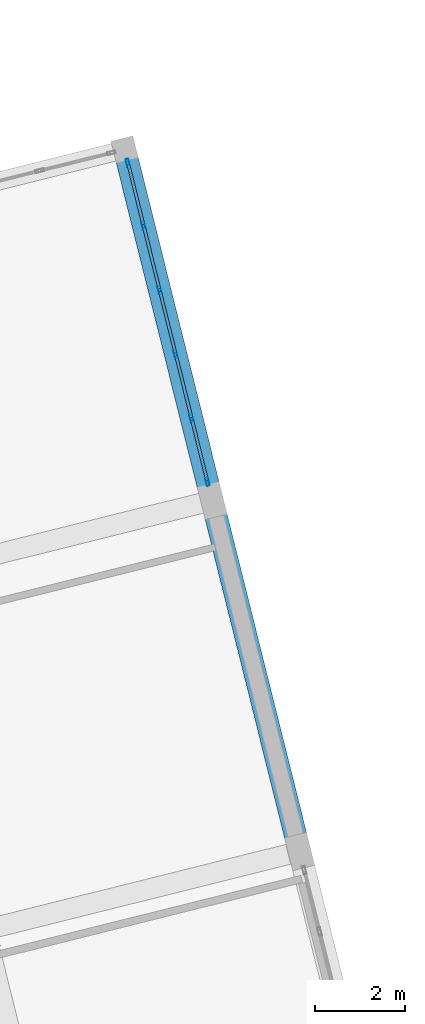
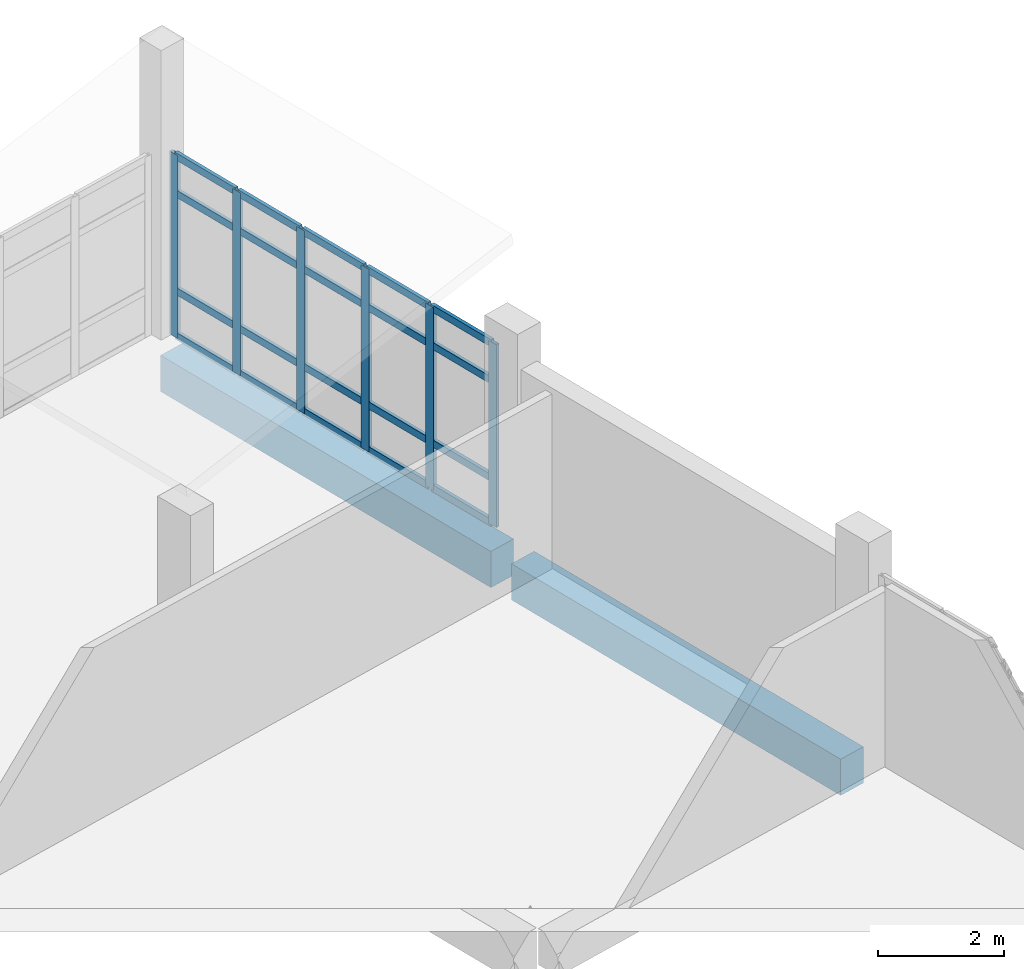
# One storey, part 117 of 164: 26 members, 2 beams, 1 element without a shape of its own.
"""IFC4 building model written with IfcOpenShell, lengths in metres."""

import ifcopenshell
import ifcopenshell.guid

model = None  # the IFC model being written
_history = None  # IfcOwnerHistory: only IFC2X3 demands one
_inside = {}  # id of a spatial element -> (the spatial element, [elements in it])
_under = {}  # id of a project, library or spatial element -> (it, [spatial elements below it])
_declared = {}  # id of a project -> (the project, [libraries it declares])
_typed = {}  # id of a type object -> (the type object, [elements of that type])
_made_of = {}  # id of a material, layer set ... -> (it, [elements and type objects made of it])


def new_model(schema):
    """Start an empty IFC model of exactly this schema.

    Asked for "IFC4X3", IfcOpenShell would pick the latest addendum, in which some entities
    have other attributes; the version numbers below select the first issue.
    IFC2X3 requires an IfcOwnerHistory on every rooted entity: one is made here for all.
    """
    global model, _history
    if schema == "IFC4X3":
        model = ifcopenshell.file(schema_version=(4, 3, 0, 0))
    else:
        model = ifcopenshell.file(schema=schema)
    _inside.clear()
    _under.clear()
    _declared.clear()
    _typed.clear()
    _made_of.clear()
    _history = None
    if model.schema == "IFC2X3":
        org = make("IfcOrganization", Name="unknown")
        user = make(
            "IfcPersonAndOrganization",
            ThePerson=make("IfcPerson", FamilyName="unknown"),
            TheOrganization=org,
        )
        app = make(
            "IfcApplication",
            ApplicationDeveloper=org,
            Version="unknown",
            ApplicationFullName="unknown",
            ApplicationIdentifier="unknown",
        )
        _history = make(
            "IfcOwnerHistory",
            OwningUser=user,
            OwningApplication=app,
            ChangeAction="ADDED",
            CreationDate=0,
        )
    return model


def make(cls, **values):
    """One entity of the class cls with the attributes given. An attribute that is None is left unset."""
    return model.create_entity(
        cls, **{name: value for name, value in values.items() if value is not None}
    )


def rooted(cls, **values):
    """An entity with a GlobalId (a new one), such as an element, a storey or a relation."""
    return make(cls, GlobalId=ifcopenshell.guid.new(), OwnerHistory=_history, **values)


def si_unit(unit_type, name, prefix=None):
    """IfcSIUnit, for example si_unit("LENGTHUNIT", "METRE", prefix="MILLI")."""
    return make("IfcSIUnit", UnitType=unit_type, Prefix=prefix, Name=name)


def assignment(units):
    """IfcUnitAssignment: the units of a project."""
    return None if units is None else make("IfcUnitAssignment", Units=units)


def point(xyz):
    """IfcCartesianPoint."""
    return None if xyz is None else make("IfcCartesianPoint", Coordinates=xyz)


def direction(xyz):
    """IfcDirection."""
    return None if xyz is None else make("IfcDirection", DirectionRatios=xyz)


def frame(location, z_axis=None, x_axis=None):
    """IfcAxis2Placement3D, a coordinate frame: its origin and axes. An axis left out is left unset."""
    return make(
        "IfcAxis2Placement3D",
        Location=point(location),
        Axis=direction(z_axis),
        RefDirection=direction(x_axis),
    )


def frame_2d(location, x_axis=None):
    """IfcAxis2Placement2D, a coordinate frame in the plane: its origin and x axis."""
    return make(
        "IfcAxis2Placement2D", Location=point(location), RefDirection=direction(x_axis)
    )


def origin():
    """The frame at (0, 0, 0) with its axes left unset."""
    return frame((0.0, 0.0, 0.0))


def origin_2d():
    """The frame at (0, 0) in the plane with its x axis left unset."""
    return frame_2d((0.0, 0.0))


def place(relative_to, where):
    """IfcLocalPlacement: puts the frame where relative to a parent placement (None: the world)."""
    return make(
        "IfcLocalPlacement", PlacementRelTo=relative_to, RelativePlacement=where
    )


def context(
    kind, dimensions, precision=None, world=None, true_north=None, identifier=None
):
    """IfcGeometricRepresentationContext, for example the 3D "Model" context."""
    return make(
        "IfcGeometricRepresentationContext",
        ContextIdentifier=identifier,
        ContextType=kind,
        CoordinateSpaceDimension=dimensions,
        Precision=precision,
        WorldCoordinateSystem=world,
        TrueNorth=true_north,
    )


def subcontext(parent, identifier, kind, view, scale=None):
    """IfcGeometricRepresentationSubContext, for example "Body" below "Model"."""
    return make(
        "IfcGeometricRepresentationSubContext",
        ContextIdentifier=identifier,
        ContextType=kind,
        ParentContext=parent,
        TargetScale=scale,
        TargetView=view,
    )


def project(units=None, contexts=None):
    """IfcProject with its units and contexts."""
    return rooted(
        "IfcProject",
        Name="project",
        RepresentationContexts=contexts,
        UnitsInContext=assignment(units),
    )


def spatial(cls, under=None, at=None, **own):
    """A site, building, storey or space (cls), placed at a placement, below another one or the project."""
    s = rooted(cls, ObjectPlacement=at, **own)
    if under is not None:
        _under.setdefault(under.id(), (under, []))[1].append(s)
    return s


def profile(cls, at=None, kind="AREA", **sizes):
    """A parametric profile (cls). Its sizes go by their IFC names, for example OverallWidth=200.0."""
    return make(cls, ProfileType=kind, Position=at, **sizes)


def rectangle(**sizes):
    """IfcRectangleProfileDef."""
    return profile("IfcRectangleProfileDef", **sizes)


def hollow_rectangle(**sizes):
    """IfcRectangleHollowProfileDef."""
    return profile("IfcRectangleHollowProfileDef", **sizes)


def extrude(swept, where, along, depth):
    """IfcExtrudedAreaSolid: the profile swept, set in the frame where, extruded along a direction by depth."""
    return make(
        "IfcExtrudedAreaSolid",
        SweptArea=swept,
        Position=where,
        ExtrudedDirection=direction(along),
        Depth=depth,
    )


def shape(context_of_items, identifier, shape_type, items):
    """IfcShapeRepresentation: the items that make up one representation, for example the "Body"."""
    return make(
        "IfcShapeRepresentation",
        ContextOfItems=context_of_items,
        RepresentationIdentifier=identifier,
        RepresentationType=shape_type,
        Items=items,
    )


def material(Name=None, Category=None):
    """IfcMaterial."""
    return make("IfcMaterial", Name=Name, Category=Category)


def layer(
    of_material, thickness, ventilated=None, Name=None, Category=None, Priority=None
):
    """IfcMaterialLayer: one layer of a wall or slab, of a material (None: an air gap)."""
    return make(
        "IfcMaterialLayer",
        Material=of_material,
        LayerThickness=thickness,
        IsVentilated=ventilated,
        Name=Name,
        Category=Category,
        Priority=Priority,
    )


def layer_set(layers, Name=None):
    """IfcMaterialLayerSet."""
    return make("IfcMaterialLayerSet", MaterialLayers=layers, LayerSetName=Name)


def material_profile(
    of_material, cross_section, Name=None, Category=None, Priority=None
):
    """IfcMaterialProfile: a cross section and its material."""
    return make(
        "IfcMaterialProfile",
        Name=Name,
        Material=of_material,
        Profile=cross_section,
        Priority=Priority,
        Category=Category,
    )


def profile_set(profiles, Name=None, composite=None):
    """IfcMaterialProfileSet."""
    return make(
        "IfcMaterialProfileSet",
        Name=Name,
        MaterialProfiles=profiles,
        CompositeProfile=composite,
    )


def made_of(thing, what):
    """Note that an element or type object is made of a material, layer set ...; save() writes the relation."""
    if what is not None:
        _made_of.setdefault(what.id(), (what, []))[1].append(thing)
    return thing


def type_object(cls, material=None, **own):
    """A type object (cls), such as IfcWallType, which elements share."""
    return made_of(rooted(cls, **own), material)


def element(
    cls,
    number,
    at=None,
    inside=None,
    cuts=None,
    type_object=None,
    material=None,
    context=None,
    identifier="Body",
    shape_type=None,
    held_by="IfcProductDefinitionShape",
    body=None,
    shapes=None,
    **own,
):
    """One element of the class cls, such as IfcWall. Its Tag is "e" and its number.

    at: its placement. inside: the storey or other place that contains it. cuts: it is an
    opening in that element (IfcRelVoidsElement). A single representation is given by context,
    identifier, shape_type and body (its items); several are given by shapes. held_by: the class
    of the entity that holds the representations. save() writes the other relations.
    """
    e = rooted(cls, Tag="e%d" % number, ObjectPlacement=at, **own)
    if body is not None:
        shapes = [shape(context, identifier, shape_type, body)]
    if shapes is not None:
        e.Representation = make(held_by, Representations=shapes)
    if inside is not None:
        _inside.setdefault(inside.id(), (inside, []))[1].append(e)
    if cuts is not None:
        rooted(
            "IfcRelVoidsElement", RelatingBuildingElement=cuts, RelatedOpeningElement=e
        )
    if type_object is not None:
        _typed.setdefault(type_object.id(), (type_object, []))[1].append(e)
    return made_of(e, material)


def aggregate(whole, parts):
    """IfcRelAggregates: a whole, such as a stair, and the parts it consists of."""
    return rooted("IfcRelAggregates", RelatingObject=whole, RelatedObjects=parts)


def save(model, path):
    """Write the relations noted so far, then the file.

    IfcRelAggregates (storeys below a building ...), IfcRelContainedInSpatialStructure (elements
    in a storey), IfcRelDefinesByType, IfcRelAssociatesMaterial and IfcRelDeclares: one each for
    every whole, place, type object, material and project.
    """
    for whole, parts in _under.values():
        aggregate(whole, parts)
    for where, things in _inside.values():
        rooted(
            "IfcRelContainedInSpatialStructure",
            RelatedElements=things,
            RelatingStructure=where,
        )
    for kind, things in _typed.values():
        rooted("IfcRelDefinesByType", RelatedObjects=things, RelatingType=kind)
    for what, things in _made_of.values():
        rooted("IfcRelAssociatesMaterial", RelatedObjects=things, RelatingMaterial=what)
    for by, libraries in _declared.values():
        rooted("IfcRelDeclares", RelatingContext=by, RelatedDefinitions=libraries)
    model.write(path)


model = new_model("IFC4")

# Units and contexts
model_context = context("Model", 3, precision=1e-05, world=origin(), true_north=direction((0.0, 1.0)))
body_context = subcontext(model_context, "Body", "Model", "MODEL_VIEW")
ifc_project = project(units=[si_unit("LENGTHUNIT", "METRE"), si_unit("AREAUNIT", "SQUARE_METRE"), si_unit("VOLUMEUNIT", "CUBIC_METRE"), si_unit("PLANEANGLEUNIT", "RADIAN"), si_unit("MASSUNIT", "GRAM", prefix="KILO")], contexts=[model_context])

# Site, building, storey
site_placement = place(None, origin())
site = spatial("IfcSite", under=ifc_project, at=site_placement, CompositionType="ELEMENT")
building_placement = place(site_placement, origin())
building = spatial("IfcBuilding", under=site, at=building_placement, Name="Mawjan Specialist Oncology Clinic", CompositionType="ELEMENT")
storey_placement = place(building_placement, frame((0.0, 0.0, 5.0)))
storey = spatial("IfcBuildingStorey", under=building, at=storey_placement, Name="L01", CompositionType="ELEMENT", Elevation=5.0)

# Curtain wall, members
ifc_material_1 = material(Name="Unitised spectrally selective aluminium curtain wall", Category="aluminium")
ifc_layer = layer(ifc_material_1, 0.179931640625, Name="Unitised spectrally selective aluminium curtain wall", Category="aluminium")
ifc_layer_set = layer_set([ifc_layer], Name="Unitised spectrally selective aluminium curtain wall")
curtain_wall_type = type_object("IfcCurtainWallType", Name="CW-50", PredefinedType="NOTDEFINED", material=ifc_layer_set)
curtain_wall_placement = place(storey_placement, origin())
curtain_wall = element("IfcCurtainWall", 1, at=curtain_wall_placement, inside=storey, type_object=curtain_wall_type, Name="L01 Unitised Curtain Wall CW-L01-095", PredefinedType="NOTDEFINED")
ifc_material_2 = material(Name="Thermally broken aluminium 6063-T6", Category="aluminium")
ifc_material_profile_1 = material_profile(ifc_material_2, hollow_rectangle(XDim=0.06494140625, YDim=0.179931640625, WallThickness=0.00390625, at=origin_2d()), Name="ALU MULLION 180x65x4", Category="aluminium")
ifc_profile_set_1 = profile_set([ifc_material_profile_1], Name="Thermally broken aluminium 6063-T6")
member_type_1 = type_object("IfcMemberType", Name="CW-M180", PredefinedType="MULLION", material=ifc_profile_set_1)
member_1_placement = place(storey_placement, frame((144.3408203125, 46.28564453125, 0.0), z_axis=(0.0, 0.0, 1.0), x_axis=(0.970295664393, 0.241922143797, 0.0)))
member_1 = element("IfcMember", 2, at=member_1_placement, type_object=member_type_1, Name="CW-50 mullion 1", PredefinedType="MULLION", context=body_context, shape_type="SweptSolid", body=[
    extrude(hollow_rectangle(XDim=0.06494140625, YDim=0.179931640625, WallThickness=0.00390625, at=origin_2d()), origin(), (0.0, 0.0, 1.0), 3.534912109375),
])
member_2_placement = place(storey_placement, frame((144.687744140625, 44.893798828125, 0.0), z_axis=(0.0, 0.0, 1.0), x_axis=(0.970295664393, 0.241922143797, 0.0)))
member_2 = element("IfcMember", 3, at=member_2_placement, type_object=member_type_1, Name="CW-50 mullion 2", PredefinedType="MULLION", context=body_context, shape_type="SweptSolid", body=[
    extrude(hollow_rectangle(XDim=0.06494140625, YDim=0.179931640625, WallThickness=0.00390625, at=origin_2d()), origin(), (0.0, 0.0, 1.0), 3.534912109375),
])
member_3_placement = place(storey_placement, frame((145.042724609375, 43.470458984375, 0.0), z_axis=(0.0, 0.0, 1.0), x_axis=(0.970295664393, 0.241922143797, 0.0)))
member_3 = element("IfcMember", 4, at=member_3_placement, type_object=member_type_1, Name="CW-50 mullion 3", PredefinedType="MULLION", context=body_context, shape_type="SweptSolid", body=[
    extrude(hollow_rectangle(XDim=0.06494140625, YDim=0.179931640625, WallThickness=0.00390625, at=origin_2d()), origin(), (0.0, 0.0, 1.0), 3.534912109375),
])
member_4_placement = place(storey_placement, frame((145.397705078125, 42.046875, 0.0), z_axis=(0.0, 0.0, 1.0), x_axis=(0.970295664393, 0.241922143797, 0.0)))
member_4 = element("IfcMember", 5, at=member_4_placement, type_object=member_type_1, Name="CW-50 mullion 4", PredefinedType="MULLION", context=body_context, shape_type="SweptSolid", body=[
    extrude(hollow_rectangle(XDim=0.06494140625, YDim=0.179931640625, WallThickness=0.00390625, at=origin_2d()), origin(), (0.0, 0.0, 1.0), 3.534912109375),
])
member_5_placement = place(storey_placement, frame((145.75244140625, 40.62353515625, 0.0), z_axis=(0.0, 0.0, 1.0), x_axis=(0.970295664393, 0.241922143797, 0.0)))
member_5 = element("IfcMember", 6, at=member_5_placement, type_object=member_type_1, Name="CW-50 mullion 5", PredefinedType="MULLION", context=body_context, shape_type="SweptSolid", body=[
    extrude(hollow_rectangle(XDim=0.06494140625, YDim=0.179931640625, WallThickness=0.00390625, at=origin_2d()), origin(), (0.0, 0.0, 1.0), 3.534912109375),
])
member_6_placement = place(storey_placement, frame((146.099609375, 39.231689453125, 0.0), z_axis=(0.0, 0.0, 1.0), x_axis=(0.970295664393, 0.241922143797, 0.0)))
member_6 = element("IfcMember", 7, at=member_6_placement, type_object=member_type_1, Name="CW-50 mullion 6", PredefinedType="MULLION", context=body_context, shape_type="SweptSolid", body=[
    extrude(hollow_rectangle(XDim=0.06494140625, YDim=0.179931640625, WallThickness=0.00390625, at=origin_2d()), origin(), (0.0, 0.0, 1.0), 3.534912109375),
])
ifc_material_3 = material(Name="Thermally broken aluminium 6063-T6", Category="aluminium")
ifc_material_profile_2 = material_profile(ifc_material_3, hollow_rectangle(XDim=0.06494140625, YDim=0.139892578125, WallThickness=0.00390625, at=origin_2d()), Name="ALU TRANSOM 140x65x4", Category="aluminium")
ifc_profile_set_2 = profile_set([ifc_material_profile_2], Name="Thermally broken aluminium 6063-T6")
member_type_2 = type_object("IfcMemberType", Name="CW-T140", PredefinedType="USERDEFINED", material=ifc_profile_set_2)
member_7_placement = place(storey_placement, frame((144.3486328125, 46.254150390625, 0.032470703125), z_axis=(0.241906401372, -0.97029958929, 0.0), x_axis=(0.97029958929, 0.241906401372, 0.0)))
member_7 = element("IfcMember", 8, at=member_7_placement, type_object=member_type_2, Name="CW-50 transom 1.1", ObjectType="TRANSOM", PredefinedType="USERDEFINED", context=body_context, shape_type="SweptSolid", body=[
    extrude(hollow_rectangle(XDim=0.06494140625, YDim=0.139892578125, WallThickness=0.00390625, at=origin_2d()), origin(), (0.0, 0.0, 1.0), 1.36962890625),
])
member_8_placement = place(storey_placement, frame((144.3486328125, 46.254150390625, 0.89990234375), z_axis=(0.241906401372, -0.97029958929, 0.0), x_axis=(0.97029958929, 0.241906401372, 0.0)))
member_8 = element("IfcMember", 9, at=member_8_placement, type_object=member_type_2, Name="CW-50 transom 1.2", ObjectType="TRANSOM", PredefinedType="USERDEFINED", context=body_context, shape_type="SweptSolid", body=[
    extrude(hollow_rectangle(XDim=0.06494140625, YDim=0.139892578125, WallThickness=0.00390625, at=origin_2d()), origin(), (0.0, 0.0, 1.0), 1.36962890625),
])
member_9_placement = place(storey_placement, frame((144.3486328125, 46.254150390625, 2.784912109375), z_axis=(0.241906401372, -0.97029958929, 0.0), x_axis=(0.97029958929, 0.241906401372, 0.0)))
member_9 = element("IfcMember", 10, at=member_9_placement, type_object=member_type_2, Name="CW-50 transom 1.3", ObjectType="TRANSOM", PredefinedType="USERDEFINED", context=body_context, shape_type="SweptSolid", body=[
    extrude(hollow_rectangle(XDim=0.06494140625, YDim=0.139892578125, WallThickness=0.00390625, at=origin_2d()), origin(), (0.0, 0.0, 1.0), 1.36962890625),
])
member_10_placement = place(storey_placement, frame((144.3486328125, 46.254150390625, 3.50244140625), z_axis=(0.241906401372, -0.97029958929, 0.0), x_axis=(0.97029958929, 0.241906401372, 0.0)))
member_10 = element("IfcMember", 11, at=member_10_placement, type_object=member_type_2, Name="CW-50 transom 1.4", ObjectType="TRANSOM", PredefinedType="USERDEFINED", context=body_context, shape_type="SweptSolid", body=[
    extrude(hollow_rectangle(XDim=0.06494140625, YDim=0.139892578125, WallThickness=0.00390625, at=origin_2d()), origin(), (0.0, 0.0, 1.0), 1.36962890625),
])
member_11_placement = place(storey_placement, frame((144.69580078125, 44.8623046875, 0.032470703125), z_axis=(0.241879985064, -0.970306174785, 0.0), x_axis=(0.970306174785, 0.241879985064, 0.0)))
member_11 = element("IfcMember", 12, at=member_11_placement, type_object=member_type_2, Name="CW-50 transom 2.1", ObjectType="TRANSOM", PredefinedType="USERDEFINED", context=body_context, shape_type="SweptSolid", body=[
    extrude(hollow_rectangle(XDim=0.06494140625, YDim=0.139892578125, WallThickness=0.00390625, at=origin_2d()), origin(), (0.0, 0.0, 1.0), 1.402099609375),
])
member_12_placement = place(storey_placement, frame((144.69580078125, 44.8623046875, 0.89990234375), z_axis=(0.241879985064, -0.970306174785, 0.0), x_axis=(0.970306174785, 0.241879985064, 0.0)))
member_12 = element("IfcMember", 13, at=member_12_placement, type_object=member_type_2, Name="CW-50 transom 2.2", ObjectType="TRANSOM", PredefinedType="USERDEFINED", context=body_context, shape_type="SweptSolid", body=[
    extrude(hollow_rectangle(XDim=0.06494140625, YDim=0.139892578125, WallThickness=0.00390625, at=origin_2d()), origin(), (0.0, 0.0, 1.0), 1.402099609375),
])
member_13_placement = place(storey_placement, frame((144.69580078125, 44.8623046875, 2.784912109375), z_axis=(0.241879985064, -0.970306174785, 0.0), x_axis=(0.970306174785, 0.241879985064, 0.0)))
member_13 = element("IfcMember", 14, at=member_13_placement, type_object=member_type_2, Name="CW-50 transom 2.3", ObjectType="TRANSOM", PredefinedType="USERDEFINED", context=body_context, shape_type="SweptSolid", body=[
    extrude(hollow_rectangle(XDim=0.06494140625, YDim=0.139892578125, WallThickness=0.00390625, at=origin_2d()), origin(), (0.0, 0.0, 1.0), 1.402099609375),
])
member_14_placement = place(storey_placement, frame((144.69580078125, 44.8623046875, 3.50244140625), z_axis=(0.241879985064, -0.970306174785, 0.0), x_axis=(0.970306174785, 0.241879985064, 0.0)))
member_14 = element("IfcMember", 15, at=member_14_placement, type_object=member_type_2, Name="CW-50 transom 2.4", ObjectType="TRANSOM", PredefinedType="USERDEFINED", context=body_context, shape_type="SweptSolid", body=[
    extrude(hollow_rectangle(XDim=0.06494140625, YDim=0.139892578125, WallThickness=0.00390625, at=origin_2d()), origin(), (0.0, 0.0, 1.0), 1.402099609375),
])
member_15_placement = place(storey_placement, frame((145.050537109375, 43.438720703125, 0.032470703125), z_axis=(0.242043926159, -0.970265292489, 0.0), x_axis=(0.970265292489, 0.242043926159, 0.0)))
member_15 = element("IfcMember", 16, at=member_15_placement, type_object=member_type_2, Name="CW-50 transom 3.1", ObjectType="TRANSOM", PredefinedType="USERDEFINED", context=body_context, shape_type="SweptSolid", body=[
    extrude(hollow_rectangle(XDim=0.06494140625, YDim=0.139892578125, WallThickness=0.00390625, at=origin_2d()), origin(), (0.0, 0.0, 1.0), 1.402099609375),
])
member_16_placement = place(storey_placement, frame((145.050537109375, 43.438720703125, 0.89990234375), z_axis=(0.242043926159, -0.970265292489, 0.0), x_axis=(0.970265292489, 0.242043926159, 0.0)))
member_16 = element("IfcMember", 17, at=member_16_placement, type_object=member_type_2, Name="CW-50 transom 3.2", ObjectType="TRANSOM", PredefinedType="USERDEFINED", context=body_context, shape_type="SweptSolid", body=[
    extrude(hollow_rectangle(XDim=0.06494140625, YDim=0.139892578125, WallThickness=0.00390625, at=origin_2d()), origin(), (0.0, 0.0, 1.0), 1.402099609375),
])
member_17_placement = place(storey_placement, frame((145.050537109375, 43.438720703125, 2.784912109375), z_axis=(0.242043926159, -0.970265292489, 0.0), x_axis=(0.970265292489, 0.242043926159, 0.0)))
member_17 = element("IfcMember", 18, at=member_17_placement, type_object=member_type_2, Name="CW-50 transom 3.3", ObjectType="TRANSOM", PredefinedType="USERDEFINED", context=body_context, shape_type="SweptSolid", body=[
    extrude(hollow_rectangle(XDim=0.06494140625, YDim=0.139892578125, WallThickness=0.00390625, at=origin_2d()), origin(), (0.0, 0.0, 1.0), 1.402099609375),
])
member_18_placement = place(storey_placement, frame((145.050537109375, 43.438720703125, 3.50244140625), z_axis=(0.242043926159, -0.970265292489, 0.0), x_axis=(0.970265292489, 0.242043926159, 0.0)))
member_18 = element("IfcMember", 19, at=member_18_placement, type_object=member_type_2, Name="CW-50 transom 3.4", ObjectType="TRANSOM", PredefinedType="USERDEFINED", context=body_context, shape_type="SweptSolid", body=[
    extrude(hollow_rectangle(XDim=0.06494140625, YDim=0.139892578125, WallThickness=0.00390625, at=origin_2d()), origin(), (0.0, 0.0, 1.0), 1.402099609375),
])
member_19_placement = place(storey_placement, frame((145.405517578125, 42.015380859375, 0.032470703125), z_axis=(0.241879985064, -0.970306174785, 0.0), x_axis=(0.970306174785, 0.241879985064, 0.0)))
member_19 = element("IfcMember", 20, at=member_19_placement, type_object=member_type_2, Name="CW-50 transom 4.1", ObjectType="TRANSOM", PredefinedType="USERDEFINED", context=body_context, shape_type="SweptSolid", body=[
    extrude(hollow_rectangle(XDim=0.06494140625, YDim=0.139892578125, WallThickness=0.00390625, at=origin_2d()), origin(), (0.0, 0.0, 1.0), 1.402099609375),
])
member_20_placement = place(storey_placement, frame((145.405517578125, 42.015380859375, 0.89990234375), z_axis=(0.241879985064, -0.970306174785, 0.0), x_axis=(0.970306174785, 0.241879985064, 0.0)))
member_20 = element("IfcMember", 21, at=member_20_placement, type_object=member_type_2, Name="CW-50 transom 4.2", ObjectType="TRANSOM", PredefinedType="USERDEFINED", context=body_context, shape_type="SweptSolid", body=[
    extrude(hollow_rectangle(XDim=0.06494140625, YDim=0.139892578125, WallThickness=0.00390625, at=origin_2d()), origin(), (0.0, 0.0, 1.0), 1.402099609375),
])
member_21_placement = place(storey_placement, frame((145.405517578125, 42.015380859375, 2.784912109375), z_axis=(0.241879985064, -0.970306174785, 0.0), x_axis=(0.970306174785, 0.241879985064, 0.0)))
member_21 = element("IfcMember", 22, at=member_21_placement, type_object=member_type_2, Name="CW-50 transom 4.3", ObjectType="TRANSOM", PredefinedType="USERDEFINED", context=body_context, shape_type="SweptSolid", body=[
    extrude(hollow_rectangle(XDim=0.06494140625, YDim=0.139892578125, WallThickness=0.00390625, at=origin_2d()), origin(), (0.0, 0.0, 1.0), 1.402099609375),
])
member_22_placement = place(storey_placement, frame((145.405517578125, 42.015380859375, 3.50244140625), z_axis=(0.241879985064, -0.970306174785, 0.0), x_axis=(0.970306174785, 0.241879985064, 0.0)))
member_22 = element("IfcMember", 23, at=member_22_placement, type_object=member_type_2, Name="CW-50 transom 4.4", ObjectType="TRANSOM", PredefinedType="USERDEFINED", context=body_context, shape_type="SweptSolid", body=[
    extrude(hollow_rectangle(XDim=0.06494140625, YDim=0.139892578125, WallThickness=0.00390625, at=origin_2d()), origin(), (0.0, 0.0, 1.0), 1.402099609375),
])
member_23_placement = place(storey_placement, frame((145.760498046875, 40.592041015625, 0.032470703125), z_axis=(0.241906401372, -0.97029958929, 0.0), x_axis=(0.97029958929, 0.241906401372, 0.0)))
member_23 = element("IfcMember", 24, at=member_23_placement, type_object=member_type_2, Name="CW-50 transom 5.1", ObjectType="TRANSOM", PredefinedType="USERDEFINED", context=body_context, shape_type="SweptSolid", body=[
    extrude(hollow_rectangle(XDim=0.06494140625, YDim=0.139892578125, WallThickness=0.00390625, at=origin_2d()), origin(), (0.0, 0.0, 1.0), 1.36962890625),
])
member_24_placement = place(storey_placement, frame((145.760498046875, 40.592041015625, 0.89990234375), z_axis=(0.241906401372, -0.97029958929, 0.0), x_axis=(0.97029958929, 0.241906401372, 0.0)))
member_24 = element("IfcMember", 25, at=member_24_placement, type_object=member_type_2, Name="CW-50 transom 5.2", ObjectType="TRANSOM", PredefinedType="USERDEFINED", context=body_context, shape_type="SweptSolid", body=[
    extrude(hollow_rectangle(XDim=0.06494140625, YDim=0.139892578125, WallThickness=0.00390625, at=origin_2d()), origin(), (0.0, 0.0, 1.0), 1.36962890625),
])
member_25_placement = place(storey_placement, frame((145.760498046875, 40.592041015625, 2.784912109375), z_axis=(0.241906401372, -0.97029958929, 0.0), x_axis=(0.97029958929, 0.241906401372, 0.0)))
member_25 = element("IfcMember", 26, at=member_25_placement, type_object=member_type_2, Name="CW-50 transom 5.3", ObjectType="TRANSOM", PredefinedType="USERDEFINED", context=body_context, shape_type="SweptSolid", body=[
    extrude(hollow_rectangle(XDim=0.06494140625, YDim=0.139892578125, WallThickness=0.00390625, at=origin_2d()), origin(), (0.0, 0.0, 1.0), 1.36962890625),
])
member_26_placement = place(storey_placement, frame((145.760498046875, 40.592041015625, 3.50244140625), z_axis=(0.241906401372, -0.97029958929, 0.0), x_axis=(0.97029958929, 0.241906401372, 0.0)))
member_26 = element("IfcMember", 27, at=member_26_placement, type_object=member_type_2, Name="CW-50 transom 5.4", ObjectType="TRANSOM", PredefinedType="USERDEFINED", context=body_context, shape_type="SweptSolid", body=[
    extrude(hollow_rectangle(XDim=0.06494140625, YDim=0.139892578125, WallThickness=0.00390625, at=origin_2d()), origin(), (0.0, 0.0, 1.0), 1.36962890625),
])
aggregate(curtain_wall, [member_1, member_2, member_3, member_4, member_5, member_6, member_7, member_8, member_9, member_10, member_11, member_12, member_13, member_14, member_15, member_16, member_17, member_18, member_19, member_20, member_21, member_22, member_23, member_24, member_25, member_26])

# Beams
ifc_material_4 = material(Name="Concrete C45/55", Category="concrete")
ifc_material_profile_3 = material_profile(ifc_material_4, rectangle(XDim=0.5, YDim=0.699951171875, at=origin_2d()), Name="RC BM 500x700", Category="concrete")
ifc_profile_set_3 = profile_set([ifc_material_profile_3], Name="Concrete C45/55")
beam_type = type_object("IfcBeamType", Name="SP-500x700", PredefinedType="SPANDREL", material=ifc_profile_set_3)
beam_1_placement = place(storey_placement, frame((148.075439453125, 31.306640625, -0.64990234375), z_axis=(-0.24192325328, 0.970295387767, 0.0), x_axis=(-0.970295387767, -0.24192325328, 0.0)))
element("IfcBeam", 28, at=beam_1_placement, inside=storey, type_object=beam_type, Name="L01 Spandrel Beam BM-L01-0633", PredefinedType="SPANDREL", context=body_context, shape_type="SweptSolid", body=[
    extrude(rectangle(XDim=0.5, YDim=0.699951171875, at=origin_2d()), origin(), (0.0, 0.0, 1.0), 7.505126953125),
])
beam_2_placement = place(storey_placement, frame((146.146240234375, 39.044921875, -0.64990234375), z_axis=(-0.241940521765, 0.970291082061, 0.0), x_axis=(-0.970291082061, -0.241940521765, 0.0)))
element("IfcBeam", 29, at=beam_2_placement, inside=storey, type_object=beam_type, Name="L01 Spandrel Beam BM-L01-0634", PredefinedType="SPANDREL", context=body_context, shape_type="SweptSolid", body=[
    extrude(rectangle(XDim=0.5, YDim=0.699951171875, at=origin_2d()), origin(), (0.0, 0.0, 1.0), 7.52978515625),
])

save(model, "model.ifc")
